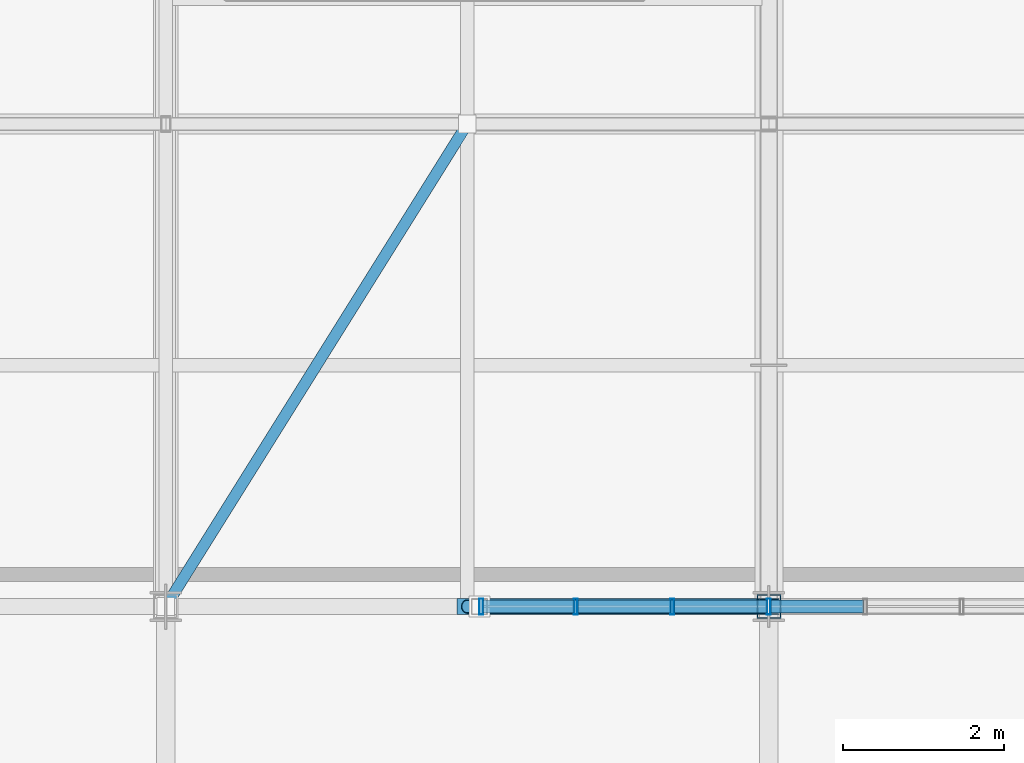
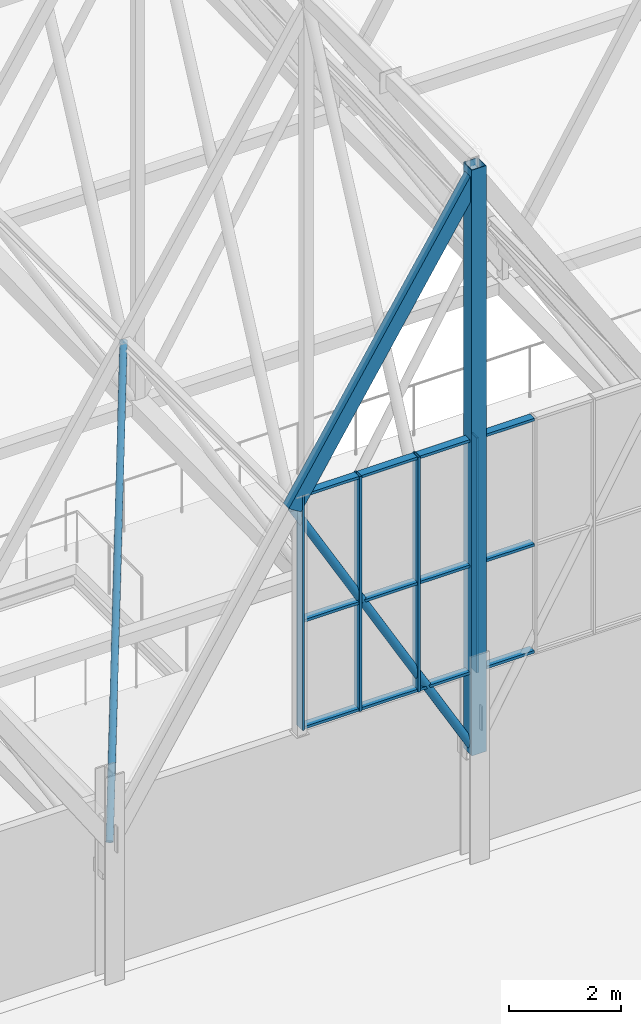
# One storey, part 87 of 324: 20 members, 1 element without a shape of its own.
"""IFC4 building model written with IfcOpenShell, lengths in metres."""

from ifc_helpers import new_model, si_unit, direction, frame, origin, origin_2d, place, context, subcontext, project, spatial, hollow_rectangle, hollow_circle, extrude, material, layer, layer_set, material_profile, profile_set, type_object, element, aggregate, save


model = new_model("IFC4")

# Units and contexts
model_context = context("Model", 3, precision=1e-05, world=origin(), true_north=direction((0.0, 1.0)))
body_context = subcontext(model_context, "Body", "Model", "MODEL_VIEW")
ifc_project = project(units=[si_unit("LENGTHUNIT", "METRE"), si_unit("AREAUNIT", "SQUARE_METRE"), si_unit("VOLUMEUNIT", "CUBIC_METRE"), si_unit("PLANEANGLEUNIT", "RADIAN"), si_unit("MASSUNIT", "GRAM", prefix="KILO")], contexts=[model_context])

# Site, building, storey
site_placement = place(None, origin())
site = spatial("IfcSite", under=ifc_project, at=site_placement, CompositionType="ELEMENT")
building_placement = place(site_placement, origin())
building = spatial("IfcBuilding", under=site, at=building_placement, Name="Solvenia Promenade Tram Depot", CompositionType="ELEMENT")
storey_placement = place(building_placement, frame((0.0, 0.0, 4.5)))
storey = spatial("IfcBuildingStorey", under=building, at=storey_placement, Name="L01", CompositionType="ELEMENT", Elevation=4.5)

# Curtain wall, members
ifc_material_1 = material(Name="Anodized aluminium AW-6063 T6", Category="aluminium")
ifc_layer = layer(ifc_material_1, 0.14990234375, Name="Anodized aluminium AW-6063 T6", Category="aluminium")
ifc_layer_set = layer_set([ifc_layer], Name="Anodized aluminium AW-6063 T6")
curtain_wall_type = type_object("IfcCurtainWallType", Name="CW-Gable-1200", PredefinedType="NOTDEFINED", material=ifc_layer_set)
curtain_wall_placement = place(storey_placement, origin())
curtain_wall = element("IfcCurtainWall", 1, at=curtain_wall_placement, inside=storey, type_object=curtain_wall_type, Name="South Zigzag Gable 02 Peak Glazing", PredefinedType="NOTDEFINED")
ifc_material_profile_1 = material_profile(ifc_material_1, hollow_rectangle(XDim=0.199951171875, YDim=0.048095703125, WallThickness=0.00390625, at=origin_2d()), Name="ALU-M3", Category="aluminium")
ifc_profile_set_1 = profile_set([ifc_material_profile_1], Name="Anodized aluminium AW-6063 T6")
member_type_1 = type_object("IfcMemberType", Name="CWM-Mullion-3", PredefinedType="MULLION", material=ifc_profile_set_1)
member_1_placement = place(storey_placement, frame((18.924072265625, 66.0, 4.050048828125), z_axis=(0.0, 0.0, 1.0), x_axis=(0.0, 1.0, 0.0)))
member_1 = element("IfcMember", 2, at=member_1_placement, type_object=member_type_1, Name="CW-3 mullion 1", PredefinedType="MULLION", context=body_context, shape_type="SweptSolid", body=[
    extrude(hollow_rectangle(XDim=0.199951171875, YDim=0.048095703125, WallThickness=0.00390625, at=origin_2d()), origin(), (0.0, 0.0, 1.0), 5.099853515625),
])
member_2_placement = place(storey_placement, frame((20.10009765625, 66.0, 4.050048828125), z_axis=(0.0, 0.0, 1.0), x_axis=(0.0, 1.0, 0.0)))
member_2 = element("IfcMember", 3, at=member_2_placement, type_object=member_type_1, Name="CW-3 mullion 2", PredefinedType="MULLION", context=body_context, shape_type="SweptSolid", body=[
    extrude(hollow_rectangle(XDim=0.199951171875, YDim=0.048095703125, WallThickness=0.00390625, at=origin_2d()), origin(), (0.0, 0.0, 1.0), 5.099853515625),
])
member_3_placement = place(storey_placement, frame((21.300048828125, 66.0, 4.050048828125), z_axis=(0.0, 0.0, 1.0), x_axis=(0.0, 1.0, 0.0)))
member_3 = element("IfcMember", 4, at=member_3_placement, type_object=member_type_1, Name="CW-3 mullion 3", PredefinedType="MULLION", context=body_context, shape_type="SweptSolid", body=[
    extrude(hollow_rectangle(XDim=0.199951171875, YDim=0.048095703125, WallThickness=0.00390625, at=origin_2d()), origin(), (0.0, 0.0, 1.0), 5.099853515625),
])
member_4_placement = place(storey_placement, frame((22.5, 66.0, 4.050048828125), z_axis=(0.0, 0.0, 1.0), x_axis=(0.0, 1.0, 0.0)))
member_4 = element("IfcMember", 5, at=member_4_placement, type_object=member_type_1, Name="CW-3 mullion 4", PredefinedType="MULLION", context=body_context, shape_type="SweptSolid", body=[
    extrude(hollow_rectangle(XDim=0.199951171875, YDim=0.048095703125, WallThickness=0.00390625, at=origin_2d()), origin(), (0.0, 0.0, 1.0), 5.099853515625),
])
ifc_material_profile_2 = material_profile(ifc_material_1, hollow_rectangle(XDim=0.159912109375, YDim=0.05810546875, WallThickness=0.00390625, at=origin_2d()), Name="ALU-T3", Category="aluminium")
ifc_profile_set_2 = profile_set([ifc_material_profile_2], Name="Anodized aluminium AW-6063 T6")
member_type_2 = type_object("IfcMemberType", Name="CWT-Transom-3", PredefinedType="USERDEFINED", material=ifc_profile_set_2)
member_5_placement = place(storey_placement, frame((18.947998046875, 66.0, 4.0791015625), z_axis=(1.0, 0.0, 0.0), x_axis=(0.0, 1.0, 0.0)))
member_5 = element("IfcMember", 6, at=member_5_placement, type_object=member_type_2, Name="CW-3 transom 1.1", ObjectType="TRANSOM", PredefinedType="USERDEFINED", context=body_context, shape_type="SweptSolid", body=[
    extrude(hollow_rectangle(XDim=0.159912109375, YDim=0.05810546875, WallThickness=0.00390625, at=origin_2d()), origin(), (0.0, 0.0, 1.0), 1.1279296875),
])
member_6_placement = place(storey_placement, frame((18.947998046875, 66.0, 6.39990234375), z_axis=(1.0, 0.0, 0.0), x_axis=(0.0, 1.0, 0.0)))
member_6 = element("IfcMember", 7, at=member_6_placement, type_object=member_type_2, Name="CW-3 transom 1.2", ObjectType="TRANSOM", PredefinedType="USERDEFINED", context=body_context, shape_type="SweptSolid", body=[
    extrude(hollow_rectangle(XDim=0.159912109375, YDim=0.05810546875, WallThickness=0.00390625, at=origin_2d()), origin(), (0.0, 0.0, 1.0), 1.1279296875),
])
member_7_placement = place(storey_placement, frame((18.947998046875, 66.0, 9.12109375), z_axis=(1.0, 0.0, 0.0), x_axis=(0.0, 1.0, 0.0)))
member_7 = element("IfcMember", 8, at=member_7_placement, type_object=member_type_2, Name="CW-3 transom 1.3", ObjectType="TRANSOM", PredefinedType="USERDEFINED", context=body_context, shape_type="SweptSolid", body=[
    extrude(hollow_rectangle(XDim=0.159912109375, YDim=0.05810546875, WallThickness=0.00390625, at=origin_2d()), origin(), (0.0, 0.0, 1.0), 1.1279296875),
])
member_8_placement = place(storey_placement, frame((20.1240234375, 66.0, 4.0791015625), z_axis=(1.0, 0.0, 0.0), x_axis=(0.0, 1.0, 0.0)))
member_8 = element("IfcMember", 9, at=member_8_placement, type_object=member_type_2, Name="CW-3 transom 2.1", ObjectType="TRANSOM", PredefinedType="USERDEFINED", context=body_context, shape_type="SweptSolid", body=[
    extrude(hollow_rectangle(XDim=0.159912109375, YDim=0.05810546875, WallThickness=0.00390625, at=origin_2d()), origin(), (0.0, 0.0, 1.0), 1.15185546875),
])
member_9_placement = place(storey_placement, frame((20.1240234375, 66.0, 6.39990234375), z_axis=(1.0, 0.0, 0.0), x_axis=(0.0, 1.0, 0.0)))
member_9 = element("IfcMember", 10, at=member_9_placement, type_object=member_type_2, Name="CW-3 transom 2.2", ObjectType="TRANSOM", PredefinedType="USERDEFINED", context=body_context, shape_type="SweptSolid", body=[
    extrude(hollow_rectangle(XDim=0.159912109375, YDim=0.05810546875, WallThickness=0.00390625, at=origin_2d()), origin(), (0.0, 0.0, 1.0), 1.15185546875),
])
member_10_placement = place(storey_placement, frame((20.1240234375, 66.0, 9.12109375), z_axis=(1.0, 0.0, 0.0), x_axis=(0.0, 1.0, 0.0)))
member_10 = element("IfcMember", 11, at=member_10_placement, type_object=member_type_2, Name="CW-3 transom 2.3", ObjectType="TRANSOM", PredefinedType="USERDEFINED", context=body_context, shape_type="SweptSolid", body=[
    extrude(hollow_rectangle(XDim=0.159912109375, YDim=0.05810546875, WallThickness=0.00390625, at=origin_2d()), origin(), (0.0, 0.0, 1.0), 1.15185546875),
])
member_11_placement = place(storey_placement, frame((21.323974609375, 66.0, 4.0791015625), z_axis=(1.0, 0.0, 0.0), x_axis=(0.0, 1.0, 0.0)))
member_11 = element("IfcMember", 12, at=member_11_placement, type_object=member_type_2, Name="CW-3 transom 3.1", ObjectType="TRANSOM", PredefinedType="USERDEFINED", context=body_context, shape_type="SweptSolid", body=[
    extrude(hollow_rectangle(XDim=0.159912109375, YDim=0.05810546875, WallThickness=0.00390625, at=origin_2d()), origin(), (0.0, 0.0, 1.0), 1.152099609375),
])
member_12_placement = place(storey_placement, frame((21.323974609375, 66.0, 6.39990234375), z_axis=(1.0, 0.0, 0.0), x_axis=(0.0, 1.0, 0.0)))
member_12 = element("IfcMember", 13, at=member_12_placement, type_object=member_type_2, Name="CW-3 transom 3.2", ObjectType="TRANSOM", PredefinedType="USERDEFINED", context=body_context, shape_type="SweptSolid", body=[
    extrude(hollow_rectangle(XDim=0.159912109375, YDim=0.05810546875, WallThickness=0.00390625, at=origin_2d()), origin(), (0.0, 0.0, 1.0), 1.152099609375),
])
member_13_placement = place(storey_placement, frame((21.323974609375, 66.0, 9.12109375), z_axis=(1.0, 0.0, 0.0), x_axis=(0.0, 1.0, 0.0)))
member_13 = element("IfcMember", 14, at=member_13_placement, type_object=member_type_2, Name="CW-3 transom 3.3", ObjectType="TRANSOM", PredefinedType="USERDEFINED", context=body_context, shape_type="SweptSolid", body=[
    extrude(hollow_rectangle(XDim=0.159912109375, YDim=0.05810546875, WallThickness=0.00390625, at=origin_2d()), origin(), (0.0, 0.0, 1.0), 1.152099609375),
])
member_14_placement = place(storey_placement, frame((22.52392578125, 66.0, 4.0791015625), z_axis=(1.0, 0.0, 0.0), x_axis=(0.0, 1.0, 0.0)))
member_14 = element("IfcMember", 15, at=member_14_placement, type_object=member_type_2, Name="CW-3 transom 4.1", ObjectType="TRANSOM", PredefinedType="USERDEFINED", context=body_context, shape_type="SweptSolid", body=[
    extrude(hollow_rectangle(XDim=0.159912109375, YDim=0.05810546875, WallThickness=0.00390625, at=origin_2d()), origin(), (0.0, 0.0, 1.0), 1.152099609375),
])
member_15_placement = place(storey_placement, frame((22.52392578125, 66.0, 6.39990234375), z_axis=(1.0, 0.0, 0.0), x_axis=(0.0, 1.0, 0.0)))
member_15 = element("IfcMember", 16, at=member_15_placement, type_object=member_type_2, Name="CW-3 transom 4.2", ObjectType="TRANSOM", PredefinedType="USERDEFINED", context=body_context, shape_type="SweptSolid", body=[
    extrude(hollow_rectangle(XDim=0.159912109375, YDim=0.05810546875, WallThickness=0.00390625, at=origin_2d()), origin(), (0.0, 0.0, 1.0), 1.152099609375),
])
member_16_placement = place(storey_placement, frame((22.52392578125, 66.0, 9.12109375), z_axis=(1.0, 0.0, 0.0), x_axis=(0.0, 1.0, 0.0)))
member_16 = element("IfcMember", 17, at=member_16_placement, type_object=member_type_2, Name="CW-3 transom 4.3", ObjectType="TRANSOM", PredefinedType="USERDEFINED", context=body_context, shape_type="SweptSolid", body=[
    extrude(hollow_rectangle(XDim=0.159912109375, YDim=0.05810546875, WallThickness=0.00390625, at=origin_2d()), origin(), (0.0, 0.0, 1.0), 1.152099609375),
])
aggregate(curtain_wall, [member_1, member_2, member_3, member_4, member_5, member_6, member_7, member_8, member_9, member_10, member_11, member_12, member_13, member_14, member_15, member_16])

# Members
ifc_material_2 = material(Name="Structural steel ASTM A500 Gr. C", Category="steel")
ifc_material_profile_3 = material_profile(ifc_material_2, hollow_rectangle(XDim=0.199951171875, YDim=0.300048828125, WallThickness=0.012451171875, at=origin_2d()), Name="HSS300x200x12.5", Category="steel")
ifc_profile_set_3 = profile_set([ifc_material_profile_3], Name="Structural steel ASTM A500 Gr. C")
member_type_3 = type_object("IfcMemberType", Name="Chord-HSS300x200x12", PredefinedType="CHORD", material=ifc_profile_set_3)
member_17_placement = place(storey_placement, frame((18.75, 66.0, 8.8876953125), z_axis=(0.533522444929, 0.0, 0.845785907164), x_axis=(0.0, 1.0, 0.0)))
element("IfcMember", 18, at=member_17_placement, inside=storey, type_object=member_type_3, Name="Zigzag Gable 02 West Upper Rafter", PredefinedType="CHORD", context=body_context, shape_type="SweptSolid", body=[
    extrude(hollow_rectangle(XDim=0.199951171875, YDim=0.300048828125, WallThickness=0.012451171875, at=origin_2d()), origin(), (0.0, 0.0, 1.0), 7.02880859375),
])
ifc_material_profile_4 = material_profile(ifc_material_2, hollow_rectangle(XDim=0.300048828125, YDim=0.300048828125, WallThickness=0.012451171875, at=origin_2d()), Name="HSS300x300x12.5", Category="steel")
ifc_profile_set_4 = profile_set([ifc_material_profile_4], Name="Structural steel ASTM A500 Gr. C")
member_type_4 = type_object("IfcMemberType", Name="Chord-HSS300x300x12", PredefinedType="CHORD", material=ifc_profile_set_4)
member_18_placement = place(storey_placement, frame((22.5, 66.0, 2.320068359375), z_axis=(0.0, 0.0, 1.0), x_axis=(1.0, 0.0, 0.0)))
element("IfcMember", 19, at=member_18_placement, inside=storey, type_object=member_type_4, Name="Arched Truss T04 S End Post", PredefinedType="CHORD", context=body_context, shape_type="SweptSolid", body=[
    extrude(hollow_rectangle(XDim=0.300048828125, YDim=0.300048828125, WallThickness=0.012451171875, at=origin_2d()), origin(), (0.0, 0.0, 1.0), 12.719970703125),
])
ifc_material_profile_5 = material_profile(ifc_material_2, hollow_circle(Radius=0.06982421875, WallThickness=0.00634765625, at=origin_2d()), Name="CHS139.7x6.3", Category="steel")
ifc_profile_set_5 = profile_set([ifc_material_profile_5], Name="Structural steel ASTM A500 Gr. C")
member_type_5 = type_object("IfcMemberType", Name="RoofBrace-CHS140x6", PredefinedType="BRACE", material=ifc_profile_set_5)
member_19_placement = place(storey_placement, frame((15.0, 66.0, 2.942626953125), z_axis=(0.40577587023, 0.649241392368, 0.643297409894), x_axis=(-0.847998304005, 0.529998940003, 0.0)))
element("IfcMember", 20, at=member_19_placement, inside=storey, type_object=member_type_5, Name="Roof Plan Wind Brace 003", PredefinedType="BRACE", context=body_context, shape_type="SweptSolid", body=[
    extrude(hollow_circle(Radius=0.06982421875, WallThickness=0.00634765625, at=origin_2d()), origin(), (0.0, 0.0, 1.0), 9.241455078125),
])
ifc_material_profile_6 = material_profile(ifc_material_2, hollow_circle(Radius=0.084228515625, WallThickness=0.008056640625, at=origin_2d()), Name="CHS168.3x8", Category="steel")
ifc_profile_set_6 = profile_set([ifc_material_profile_6], Name="Structural steel ASTM A500 Gr. C")
member_type_6 = type_object("IfcMemberType", Name="WebDiag-CHS168x8", PredefinedType="BRACE", material=ifc_profile_set_6)
member_20_placement = place(storey_placement, frame((22.5, 66.0, 2.320068359375), z_axis=(-0.495846885085, 0.0, 0.868409964562), x_axis=(0.0, -1.0, 0.0)))
element("IfcMember", 21, at=member_20_placement, inside=storey, type_object=member_type_6, Name="Zigzag Gable 02 West Knee Strut", PredefinedType="BRACE", context=body_context, shape_type="SweptSolid", body=[
    extrude(hollow_circle(Radius=0.084228515625, WallThickness=0.008056640625, at=origin_2d()), origin(), (0.0, 0.0, 1.0), 7.562744140625),
])

save(model, "model.ifc")
